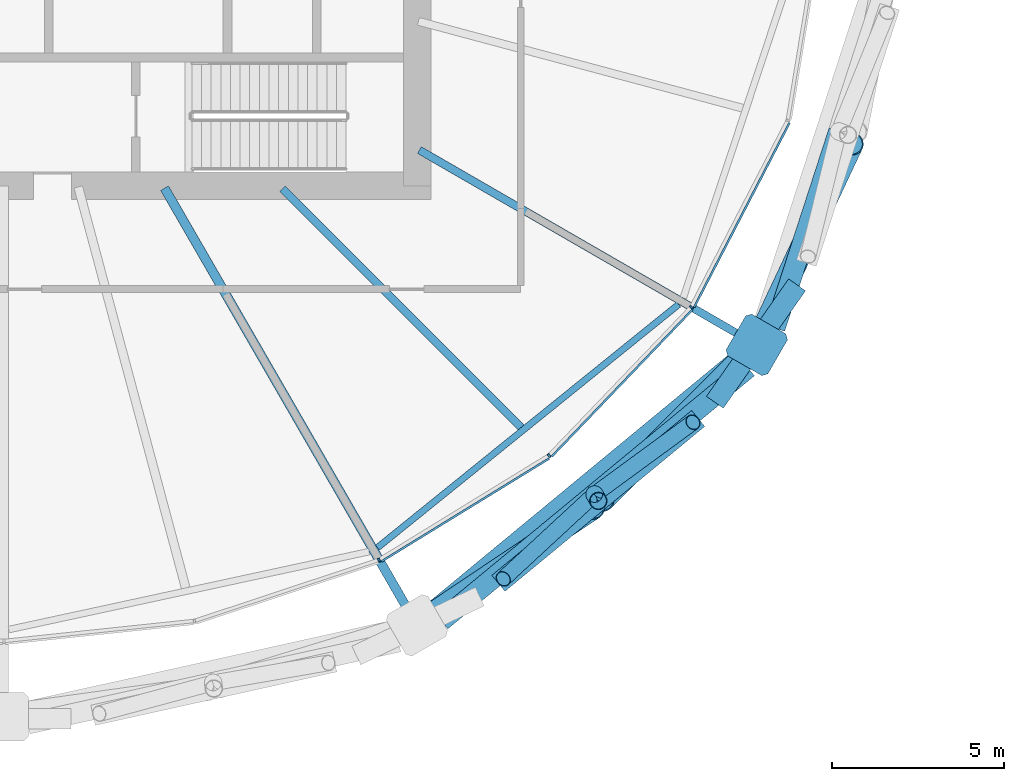
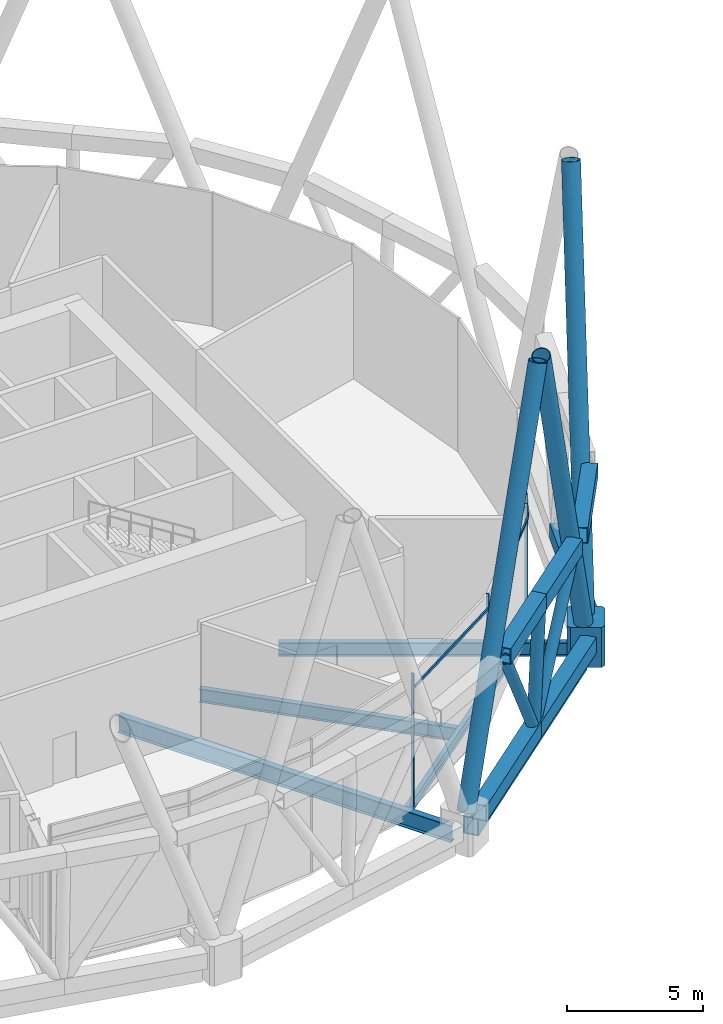
# One storey, part 8 of 33: 19 members, 5 beams, 1 element without a shape of its own.
"""IFC4 building model written with IfcOpenShell, lengths in metres."""

from ifc_helpers import new_model, si_unit, direction, frame, origin, origin_2d, place, context, subcontext, project, spatial, polyline, rectangle, hollow_rectangle, hollow_circle, i_section, outline, extrude, material, material_profile, profile_set, type_object, element, aggregate, save


model = new_model("IFC4")

# Units and contexts
model_context = context("Model", 3, precision=1e-05, world=origin(), true_north=direction((0.0, 1.0)))
body_context = subcontext(model_context, "Body", "Model", "MODEL_VIEW")
ifc_project = project(units=[si_unit("LENGTHUNIT", "METRE"), si_unit("AREAUNIT", "SQUARE_METRE"), si_unit("VOLUMEUNIT", "CUBIC_METRE"), si_unit("PLANEANGLEUNIT", "RADIAN"), si_unit("MASSUNIT", "GRAM", prefix="KILO")], contexts=[model_context])

# Site, building, storey
site_placement = place(None, origin())
site = spatial("IfcSite", under=ifc_project, at=site_placement, CompositionType="ELEMENT")
building_placement = place(site_placement, origin())
building = spatial("IfcBuilding", under=site, at=building_placement, Name="Rimbun Link Towers", CompositionType="ELEMENT")
storey_placement = place(building_placement, frame((0.0, 0.0, 75.60009765625)))
storey = spatial("IfcBuildingStorey", under=building, at=storey_placement, Name="L18", CompositionType="ELEMENT", Elevation=75.60009765625)

# Members
ifc_material_1 = material(Name="Steel S460N", Category="steel")
ifc_material_profile_1 = material_profile(ifc_material_1, hollow_rectangle(XDim=0.60009765625, YDim=0.699951171875, WallThickness=0.034912109375, at=origin_2d()), Name="Belt truss chord BOX 600x700x35")
ifc_profile_set_1 = profile_set([ifc_material_profile_1], Name="Steel S460N")
member_type_1 = type_object("IfcMemberType", Name="Belt truss chord BOX 600x700x35", PredefinedType="CHORD", material=ifc_profile_set_1)
member_1_placement = place(storey_placement, frame((-11.11083984375, -14.28466796875, 6.0), z_axis=(0.57337572411, 0.819292547874, 0.0), x_axis=(-0.819292547874, 0.57337572411, 0.0)))
element("IfcMember", 1, at=member_1_placement, inside=storey, type_object=member_type_1, Name="Belt truss chord T1 L18 top 11", PredefinedType="CHORD", context=body_context, shape_type="SweptSolid", body=[
    extrude(hollow_rectangle(XDim=0.60009765625, YDim=0.699951171875, WallThickness=0.034912109375, at=origin_2d()), origin(), (0.0, 0.0, 1.0), 4.16162109375),
])
member_2_placement = place(storey_placement, frame((-19.05810546875, -20.634033203125, 0.18994140625), z_axis=(0.77126685936, 0.636511925775, 0.0), x_axis=(-0.636511925775, 0.77126685936, 0.0)))
element("IfcMember", 2, at=member_2_placement, inside=storey, type_object=member_type_1, Name="Belt truss chord T1 L18 bottom 20", PredefinedType="CHORD", context=body_context, shape_type="SweptSolid", body=[
    extrude(hollow_rectangle(XDim=0.60009765625, YDim=0.699951171875, WallThickness=0.034912109375, at=origin_2d()), origin(), (0.0, 0.0, 1.0), 5.772216796875),
])
member_3_placement = place(storey_placement, frame((-14.606201171875, -16.9599609375, 0.18994140625), z_axis=(0.771283994621, 0.636491162265, 0.0), x_axis=(-0.636491162265, 0.771283994621, 0.0)))
element("IfcMember", 3, at=member_3_placement, inside=storey, type_object=member_type_1, Name="Belt truss chord T1 L18 bottom 21", PredefinedType="CHORD", context=body_context, shape_type="SweptSolid", body=[
    extrude(hollow_rectangle(XDim=0.60009765625, YDim=0.699951171875, WallThickness=0.034912109375, at=origin_2d()), origin(), (0.0, 0.0, 1.0), 5.7724609375),
])
member_4_placement = place(storey_placement, frame((-17.3974609375, -19.54296875, 6.0), z_axis=(0.771298390091, 0.636473717795, 0.0), x_axis=(-0.636473717795, 0.771298390091, 0.0)))
element("IfcMember", 4, at=member_4_placement, inside=storey, type_object=member_type_1, Name="Belt truss chord T1 L18 top 32", PredefinedType="CHORD", context=body_context, shape_type="SweptSolid", body=[
    extrude(hollow_rectangle(XDim=0.60009765625, YDim=0.699951171875, WallThickness=0.034912109375, at=origin_2d()), origin(), (0.0, 0.0, 1.0), 3.760986328125),
])
member_5_placement = place(storey_placement, frame((-14.49658203125, -17.149169921875, 6.0), z_axis=(0.771272091865, 0.636505585451, 0.0), x_axis=(-0.636505585451, 0.771272091865, 0.0)))
element("IfcMember", 5, at=member_5_placement, inside=storey, type_object=member_type_1, Name="Belt truss chord T1 L18 top 33", PredefinedType="CHORD", context=body_context, shape_type="SweptSolid", body=[
    extrude(hollow_rectangle(XDim=0.60009765625, YDim=0.699951171875, WallThickness=0.034912109375, at=origin_2d()), origin(), (0.0, 0.0, 1.0), 3.7607421875),
])
member_6_placement = place(storey_placement, frame((-9.368896484375, -12.1318359375, 0.18994140625), z_axis=(0.309075966381, 0.951037353107, 0.0), x_axis=(-0.951037353107, 0.309075966381, 0.0)))
element("IfcMember", 6, at=member_6_placement, inside=storey, type_object=member_type_1, Name="Belt truss chord T1 L18 bottom 22", PredefinedType="CHORD", context=body_context, shape_type="SweptSolid", body=[
    extrude(hollow_rectangle(XDim=0.60009765625, YDim=0.699951171875, WallThickness=0.034912109375, at=origin_2d()), origin(), (0.0, 0.0, 1.0), 6.0087890625),
])
ifc_material_2 = material(Name="Steel S355J2H", Category="steel")
ifc_material_profile_2 = material_profile(ifc_material_2, hollow_circle(Radius=0.228515625, WallThickness=0.01611328125, at=origin_2d()), Name="Belt truss diagonal CHS 457x16")
ifc_profile_set_2 = profile_set([ifc_material_profile_2], Name="Steel S355J2H")
member_type_2 = type_object("IfcMemberType", Name="Belt truss diagonal CHS 457x16", PredefinedType="BRACE", material=ifc_profile_set_2)
member_7_placement = place(storey_placement, frame((-14.746826171875, -17.090087890625, 0.482666015625), z_axis=(-0.401951302505, -0.371961356102, 0.836707774543), x_axis=(0.679195869776, -0.733957063103, 0.0)))
element("IfcMember", 7, at=member_7_placement, inside=storey, type_object=member_type_2, Name="Belt truss diagonal T1 L18 20", PredefinedType="BRACE", context=body_context, shape_type="SweptSolid", body=[
    extrude(hollow_circle(Radius=0.228515625, WallThickness=0.01611328125, at=origin_2d()), origin(), (0.0, 0.0, 1.0), 6.243896484375),
])
member_8_placement = place(storey_placement, frame((-14.45361328125, -16.84814453125, 0.484375), z_axis=(0.435957741043, 0.319295764311, 0.841422048034), x_axis=(-0.590874279334, 0.806763649417, 0.0)))
element("IfcMember", 8, at=member_8_placement, inside=storey, type_object=member_type_2, Name="Belt truss diagonal T1 L18 21", PredefinedType="BRACE", context=body_context, shape_type="SweptSolid", body=[
    extrude(hollow_circle(Radius=0.228515625, WallThickness=0.01611328125, at=origin_2d()), origin(), (0.0, 0.0, 1.0), 6.204833984375),
])
ifc_material_3 = material(Name="Steel S355J2H", Category="steel")
ifc_material_profile_3 = material_profile(ifc_material_3, hollow_circle(Radius=0.25390625, WallThickness=0.02001953125, at=origin_2d()), Name="Belt truss strut CHS 508x20")
ifc_profile_set_3 = profile_set([ifc_material_profile_3], Name="Steel S355J2H")
member_type_3 = type_object("IfcMemberType", Name="Belt truss strut CHS 508x20", PredefinedType="STRUT", material=ifc_profile_set_3)
member_9_placement = place(storey_placement, frame((-14.606201171875, -16.9599609375, 0.539794921875), z_axis=(0.021431822526, -0.036992566721, 0.999085695519), x_axis=(0.865273365949, 0.501300311369, 0.0)))
element("IfcMember", 9, at=member_9_placement, inside=storey, type_object=member_type_3, Name="Belt truss strut T1 L18 10", PredefinedType="STRUT", context=body_context, shape_type="SweptSolid", body=[
    extrude(hollow_circle(Radius=0.25390625, WallThickness=0.02001953125, at=origin_2d()), origin(), (0.0, 0.0, 1.0), 5.11474609375),
])

# Curtain wall, members
ifc_material_4 = material(Name="Aluminium 6063-T6 louvre wall", Category="aluminium")
curtain_wall_type = type_object("IfcCurtainWallType", Name="CW6 plant floor louvre wall", PredefinedType="NOTDEFINED", material=ifc_material_4)
curtain_wall_placement = place(storey_placement, origin())
curtain_wall = element("IfcCurtainWall", 10, at=curtain_wall_placement, inside=storey, type_object=curtain_wall_type, Name="CW6 L18 T1", PredefinedType="NOTDEFINED")
ifc_material_5 = material(Name="Aluminium 6063-T6", Category="aluminium")
ifc_material_profile_4 = material_profile(ifc_material_5, rectangle(XDim=0.1201171875, YDim=0.06005859375, at=origin_2d()), Name="MULLION 60X120")
ifc_profile_set_4 = profile_set([ifc_material_profile_4], Name="Aluminium 6063-T6")
member_type_4 = type_object("IfcMemberType", Name="CW6 mullion 60X120", PredefinedType="MULLION", material=ifc_profile_set_4)
member_10_placement = place(storey_placement, frame((-20.86279296875, -18.867919921875, 0.0), z_axis=(0.0, 0.0, 1.0), x_axis=(0.421707494274, -0.90673192801, 0.0)))
member_10 = element("IfcMember", 11, at=member_10_placement, type_object=member_type_4, Name="CW6 mullion", PredefinedType="MULLION", context=body_context, shape_type="SweptSolid", body=[
    extrude(rectangle(XDim=0.1201171875, YDim=0.06005859375, at=origin_2d()), origin(), (0.0, 0.0, 1.0), 6.0),
])
member_11_placement = place(storey_placement, frame((-15.923828125, -15.835205078125, 0.0), z_axis=(0.0, 0.0, 1.0), x_axis=(0.627665460288, -0.778483185407, 0.0)))
member_11 = element("IfcMember", 12, at=member_11_placement, type_object=member_type_4, Name="CW6 mullion", PredefinedType="MULLION", context=body_context, shape_type="SweptSolid", body=[
    extrude(rectangle(XDim=0.1201171875, YDim=0.06005859375, at=origin_2d()), origin(), (0.0, 0.0, 1.0), 6.0),
])
member_12_placement = place(storey_placement, frame((-11.79443359375, -11.528076171875, 0.0), z_axis=(0.0, 0.0, 1.0), x_axis=(0.813348706605, -0.581776487548, 0.0)))
member_12 = element("IfcMember", 13, at=member_12_placement, type_object=member_type_4, Name="CW6 mullion", PredefinedType="MULLION", context=body_context, shape_type="SweptSolid", body=[
    extrude(rectangle(XDim=0.1201171875, YDim=0.06005859375, at=origin_2d()), origin(), (0.0, 0.0, 1.0), 6.0),
])
ifc_material_6 = material(Name="Aluminium 6063-T6", Category="aluminium")
ifc_material_profile_5 = material_profile(ifc_material_6, rectangle(XDim=0.06005859375, YDim=0.1201171875, at=origin_2d()), Name="TRANSOM 60X120")
ifc_profile_set_5 = profile_set([ifc_material_profile_5], Name="Aluminium 6063-T6")
member_type_5 = type_object("IfcMemberType", Name="CW6 transom 60X120", PredefinedType="USERDEFINED", material=ifc_profile_set_5)
member_13_placement = place(storey_placement, frame((-15.9189453125, -15.9150390625, 5.39990234375), z_axis=(-0.852195594829, -0.523223344427, 0.0), x_axis=(0.523223344427, -0.852195594829, 0.0)))
member_13 = element("IfcMember", 14, at=member_13_placement, type_object=member_type_5, Name="CW6 transom", ObjectType="TRANSOM", PredefinedType="USERDEFINED", context=body_context, shape_type="SweptSolid", body=[
    extrude(rectangle(XDim=0.06005859375, YDim=0.1201171875, at=origin_2d()), origin(), (0.0, 0.0, 1.0), 5.72119140625),
])
member_14_placement = place(storey_placement, frame((-11.770263671875, -11.604736328125, 5.39990234375), z_axis=(-0.692050275871, -0.721849302602, 0.0), x_axis=(0.721849302602, -0.692050275871, 0.0)))
member_14 = element("IfcMember", 15, at=member_14_placement, type_object=member_type_5, Name="CW6 transom", ObjectType="TRANSOM", PredefinedType="USERDEFINED", context=body_context, shape_type="SweptSolid", body=[
    extrude(rectangle(XDim=0.06005859375, YDim=0.1201171875, at=origin_2d()), origin(), (0.0, 0.0, 1.0), 5.890625),
])
member_15_placement = place(storey_placement, frame((-8.94287109375, -6.170166015625, 5.39990234375), z_axis=(-0.459542963883, -0.888155540627, 0.0), x_axis=(0.888155540627, -0.459542963883, 0.0)))
member_15 = element("IfcMember", 16, at=member_15_placement, type_object=member_type_5, Name="CW6 transom", ObjectType="TRANSOM", PredefinedType="USERDEFINED", context=body_context, shape_type="SweptSolid", body=[
    extrude(rectangle(XDim=0.06005859375, YDim=0.1201171875, at=origin_2d()), origin(), (0.0, 0.0, 1.0), 6.030517578125),
])
aggregate(curtain_wall, [member_10, member_11, member_12, member_13, member_14, member_15])

# Members
ifc_material_7 = material(Name="Steel S460NH", Category="steel")
ifc_material_profile_6 = material_profile(ifc_material_7, hollow_circle(Radius=0.355712890625, WallThickness=0.031982421875, at=origin_2d()), Name="Diagrid diagonal CHS 711x32")
ifc_profile_set_6 = profile_set([ifc_material_profile_6], Name="Steel S460NH")
member_type_6 = type_object("IfcMemberType", Name="Diagrid diagonal CHS 711x32", PredefinedType="BRACE", material=ifc_profile_set_6)
member_16_placement = place(storey_placement, frame((-19.621337890625, -20.666748046875, 0.4697265625), z_axis=(0.28366520323, 0.190308976092, 0.939849214553), x_axis=(-0.557127549683, 0.830426934405, 0.0)))
element("IfcMember", 17, at=member_16_placement, inside=storey, type_object=member_type_6, Name="Diagrid diagonal T1 L18-L22 20b", PredefinedType="BRACE", context=body_context, shape_type="SweptSolid", body=[
    extrude(hollow_circle(Radius=0.355712890625, WallThickness=0.031982421875, at=origin_2d()), origin(), (0.0, 0.0, 1.0), 17.513671875),
])
member_17_placement = place(storey_placement, frame((-10.01904296875, -12.742431640625, 0.468017578125), z_axis=(-0.248394646065, -0.248602891073, 0.936214025934), x_axis=(0.707403001156, -0.706810437074, 0.0)))
element("IfcMember", 18, at=member_17_placement, inside=storey, type_object=member_type_6, Name="Diagrid diagonal T1 L18-L22 22a", PredefinedType="BRACE", context=body_context, shape_type="SweptSolid", body=[
    extrude(hollow_circle(Radius=0.355712890625, WallThickness=0.031982421875, at=origin_2d()), origin(), (0.0, 0.0, 1.0), 17.585693359375),
])
member_18_placement = place(storey_placement, frame((-9.819091796875, -12.456787109375, 0.467041015625), z_axis=(0.151480709948, 0.322523406583, 0.934361946314), x_axis=(-0.905137422399, 0.425119096929, 0.0)))
element("IfcMember", 19, at=member_18_placement, inside=storey, type_object=member_type_6, Name="Diagrid diagonal T1 L18-L22 22b", PredefinedType="BRACE", context=body_context, shape_type="SweptSolid", body=[
    extrude(hollow_circle(Radius=0.355712890625, WallThickness=0.031982421875, at=origin_2d()), origin(), (0.0, 0.0, 1.0), 17.622314453125),
])
ifc_material_8 = material(Name="Cast steel G20Mn5+QT, Rp0.2 300 MPa", Category="steel")
ifc_material_profile_7 = material_profile(ifc_material_8, outline(polyline([(0.699951171875, -0.570068359375), (0.699951171875, 0.570068359375), (0.570068359375, 0.699951171875), (-0.570068359375, 0.699951171875), (-0.699951171875, 0.570068359375), (-0.699951171875, -0.570068359375), (-0.570068359375, -0.699951171875), (0.570068359375, -0.699951171875), (0.699951171875, -0.570068359375)])), Name="NODE 1400x1400")
ifc_profile_set_7 = profile_set([ifc_material_profile_7], Name="Cast steel G20Mn5+QT, Rp0.2 300 MPa")
member_type_7 = type_object("IfcMemberType", Name="Diagrid node cast 1400", PredefinedType="USERDEFINED", material=ifc_profile_set_7)
member_19_placement = place(storey_placement, frame((-9.894775390625, -12.6181640625, -0.900146484375), z_axis=(0.0, 0.0, 1.0), x_axis=(0.866025403784, -0.5, 0.0)))
element("IfcMember", 20, at=member_19_placement, inside=storey, type_object=member_type_7, Name="Diagrid node L18 22", ObjectType="Diagrid node", PredefinedType="USERDEFINED", context=body_context, shape_type="SweptSolid", body=[
    extrude(outline(polyline([(0.699951171875, -0.570068359375), (0.699951171875, 0.570068359375), (0.570068359375, 0.699951171875), (-0.570068359375, 0.699951171875), (-0.699951171875, 0.570068359375), (-0.699951171875, -0.570068359375), (-0.570068359375, -0.699951171875), (0.570068359375, -0.699951171875), (0.699951171875, -0.570068359375)])), origin(), (0.0, 0.0, 1.0), 1.800048828125),
])

# Beams
ifc_material_9 = material(Name="Steel S355J2", Category="steel")
ifc_material_profile_8 = material_profile(ifc_material_9, hollow_rectangle(XDim=0.60009765625, YDim=0.800048828125, WallThickness=0.0400390625, at=origin_2d()), Name="Exoskeleton ring girder BOX 600x800x40")
ifc_profile_set_8 = profile_set([ifc_material_profile_8], Name="Steel S355J2")
beam_type_1 = type_object("IfcBeamType", Name="Exoskeleton ring girder BOX 600x800x40", PredefinedType="BEAM", material=ifc_profile_set_8)
beam_1_placement = place(storey_placement, frame((-19.22314453125, -20.31640625, -0.56005859375), z_axis=(0.771273612838, 0.636503742439, 0.0), x_axis=(-0.636503742439, 0.771273612838, 0.0)))
element("IfcBeam", 21, at=beam_1_placement, inside=storey, type_object=beam_type_1, Name="Exoskeleton ring girder L18 10", PredefinedType="BEAM", context=body_context, shape_type="SweptSolid", body=[
    extrude(hollow_rectangle(XDim=0.60009765625, YDim=0.800048828125, WallThickness=0.0400390625, at=origin_2d()), origin(), (0.0, 0.0, 1.0), 11.39453125),
])
ifc_material_10 = material(Name="Steel S355J2", Category="steel")
ifc_material_profile_9 = material_profile(ifc_material_10, i_section(OverallWidth=0.18994140625, OverallDepth=0.453369140625, WebThickness=0.008544921875, FlangeThickness=0.0126953125, at=origin_2d()), Name="UB 457x191x67")
ifc_profile_set_9 = profile_set([ifc_material_profile_9], Name="Steel S355J2")
beam_type_2 = type_object("IfcBeamType", Name="UB 457x191x67", PredefinedType="BEAM", material=ifc_profile_set_9)
beam_2_placement = place(storey_placement, frame((-20.909912109375, -18.5068359375, -0.4267578125), z_axis=(0.777964854273, 0.628307795206, 0.0), x_axis=(-0.628307795206, 0.777964854273, 0.0)))
element("IfcBeam", 22, at=beam_2_placement, inside=storey, type_object=beam_type_2, Name="Edge beam T1 L18 20-22", PredefinedType="BEAM", context=body_context, shape_type="SweptSolid", body=[
    extrude(i_section(OverallWidth=0.18994140625, OverallDepth=0.453369140625, WebThickness=0.008544921875, FlangeThickness=0.0126953125, at=origin_2d()), origin(), (0.0, 0.0, 1.0), 11.244873046875),
])
ifc_material_11 = material(Name="Steel S355J2", Category="steel")
ifc_material_profile_10 = material_profile(ifc_material_11, i_section(OverallWidth=0.2275390625, OverallDepth=0.6025390625, WebThickness=0.010498046875, FlangeThickness=0.014892578125, at=origin_2d()), Name="UB 610x229x101")
ifc_profile_set_10 = profile_set([ifc_material_profile_10], Name="Steel S355J2")
beam_type_3 = type_object("IfcBeamType", Name="UB 610x229x101", PredefinedType="BEAM", material=ifc_profile_set_10)
beam_3_placement = place(storey_placement, frame((-23.668701171875, -8.081298828125, -0.50146484375), z_axis=(0.707106781187, -0.707106781187, 0.0), x_axis=(0.707106781187, 0.707106781187, 0.0)))
element("IfcBeam", 23, at=beam_3_placement, inside=storey, type_object=beam_type_3, Name="Radial beam T1 L18 21", PredefinedType="BEAM", context=body_context, shape_type="SweptSolid", body=[
    extrude(i_section(OverallWidth=0.2275390625, OverallDepth=0.6025390625, WebThickness=0.010498046875, FlangeThickness=0.014892578125, at=origin_2d()), origin(), (0.0, 0.0, 1.0), 9.80322265625),
])
beam_4_placement = place(storey_placement, frame((-19.692138671875, -6.96142578125, -0.50146484375), z_axis=(0.866014130296, -0.500019525747, 0.0), x_axis=(0.500019525747, 0.866014130296, 0.0)))
element("IfcBeam", 24, at=beam_4_placement, inside=storey, type_object=beam_type_3, Name="Radial beam T1 L18 22", PredefinedType="BEAM", context=body_context, shape_type="SweptSolid", body=[
    extrude(i_section(OverallWidth=0.2275390625, OverallDepth=0.6025390625, WebThickness=0.010498046875, FlangeThickness=0.014892578125, at=origin_2d()), origin(), (0.0, 0.0, 1.0), 10.81298828125),
])
ifc_material_12 = material(Name="Steel S355J2", Category="steel")
ifc_material_profile_11 = material_profile(ifc_material_12, i_section(OverallWidth=0.2666015625, OverallDepth=0.76220703125, WebThickness=0.014404296875, FlangeThickness=0.021484375, at=origin_2d()), Name="UB 762x267x173")
ifc_profile_set_11 = profile_set([ifc_material_profile_11], Name="Steel S355J2")
beam_type_4 = type_object("IfcBeamType", Name="UB 762x267x173", PredefinedType="BEAM", material=ifc_profile_set_11)
beam_5_placement = place(storey_placement, frame((-27.09228515625, -8.0673828125, -0.581298828125), z_axis=(0.499989137667, -0.866031675065, 0.0), x_axis=(0.866031675065, 0.499989137667, 0.0)))
element("IfcBeam", 25, at=beam_5_placement, inside=storey, type_object=beam_type_4, Name="Radial beam T1 L18 20", PredefinedType="BEAM", context=body_context, shape_type="SweptSolid", body=[
    extrude(i_section(OverallWidth=0.2666015625, OverallDepth=0.76220703125, WebThickness=0.014404296875, FlangeThickness=0.021484375, at=origin_2d()), origin(), (0.0, 0.0, 1.0), 14.158447265625),
])

save(model, "model.ifc")
